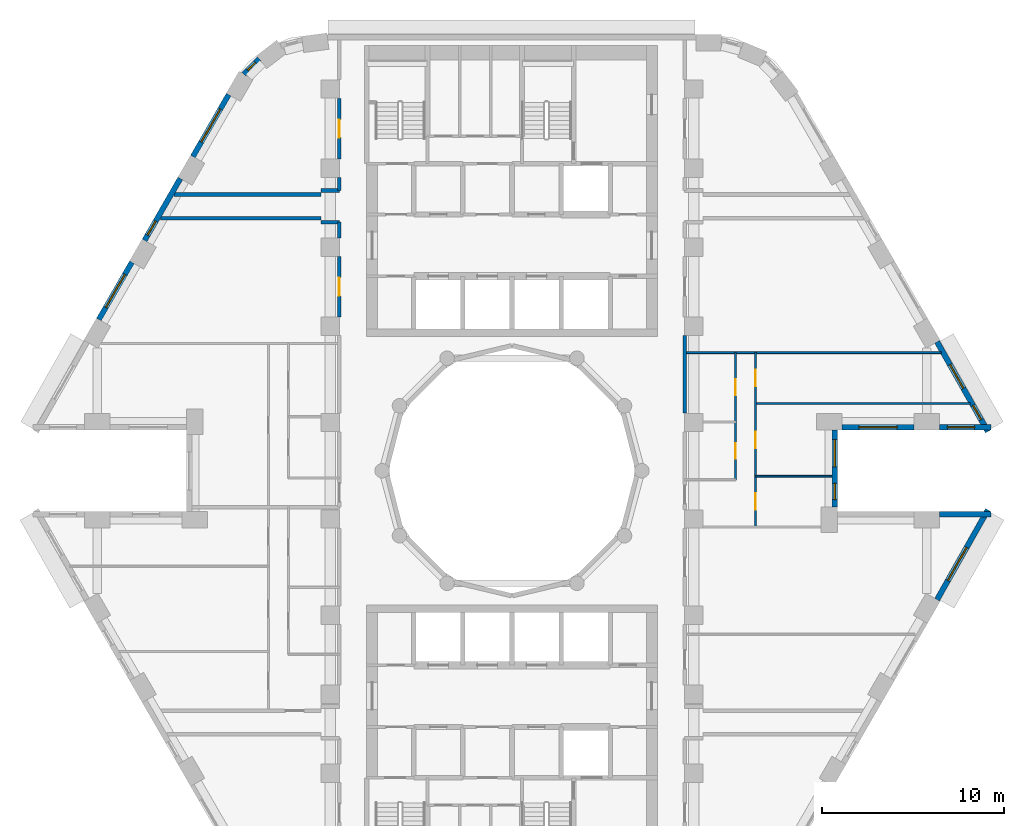
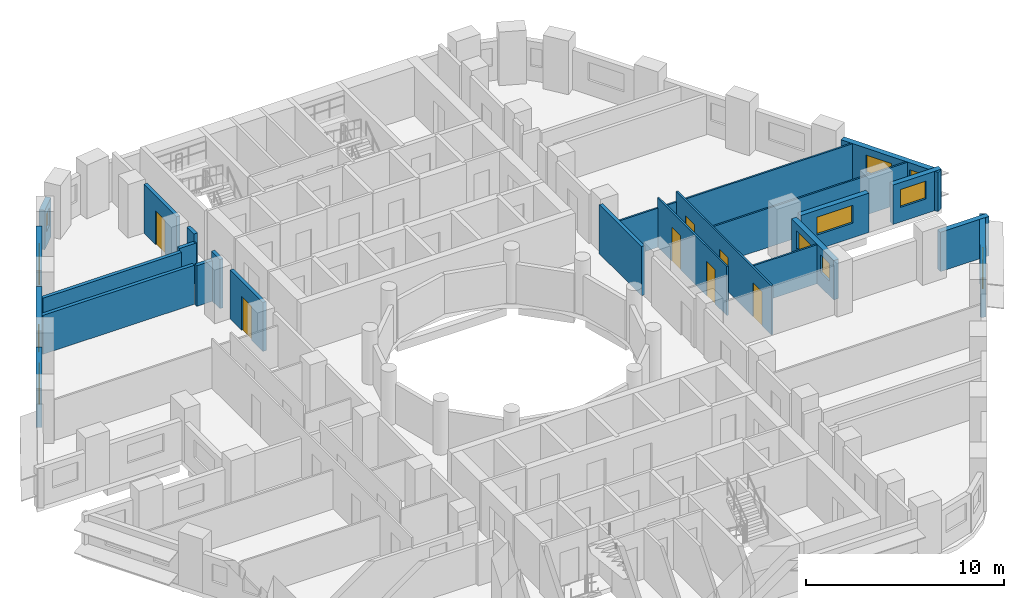
# One storey, part 6 of 12: 24 walls, 11 windows, 7 doors, 18 openings.
"""IFC4 building model written with IfcOpenShell, lengths in metres."""

from ifc_helpers import new_model, si_unit, direction, frame, frame_2d, origin, place, context, subcontext, project, spatial, rectangle, extrude, material, layer, layer_set, type_object, element, fill, save


model = new_model("IFC4")

# Units and contexts
model_context = context("Model", 3, precision=1e-05, world=origin(), true_north=direction((0.0, 1.0)))
body_context = subcontext(model_context, "Body", "Model", "MODEL_VIEW")
ifc_project = project(units=[si_unit("LENGTHUNIT", "METRE"), si_unit("AREAUNIT", "SQUARE_METRE"), si_unit("VOLUMEUNIT", "CUBIC_METRE"), si_unit("PLANEANGLEUNIT", "RADIAN"), si_unit("MASSUNIT", "GRAM", prefix="KILO")], contexts=[model_context])

# Site, building, storey
site_placement = place(None, origin())
site = spatial("IfcSite", under=ifc_project, at=site_placement, CompositionType="ELEMENT")
building_placement = place(site_placement, origin())
building = spatial("IfcBuilding", under=site, at=building_placement, Name="Nakaniwa Court", CompositionType="ELEMENT")
storey_placement = place(building_placement, frame((0.0, 0.0, 97.5)))
storey = spatial("IfcBuildingStorey", under=building, at=storey_placement, Name="L25", CompositionType="ELEMENT", Elevation=97.5)

# Walls
ifc_material_1 = material(Name="Acoustic double stud partition")
ifc_layer_1 = layer(ifc_material_1, 0.199951171875)
ifc_layer_set_1 = layer_set([ifc_layer_1], Name="Acoustic double stud partition")
wall_type_1 = type_object("IfcWallType", Name="Acoustic double stud partition 200", PredefinedType="PARTITIONING", material=ifc_layer_set_1)
wall_1_placement = place(storey_placement, frame((89.5, 83.1669921875, 0.0), z_axis=(0.0, 0.0, 1.0), x_axis=(0.0, 1.0, 0.0)))
element("IfcWall", 1, at=wall_1_placement, inside=storey, type_object=wall_type_1, Name="Partition PW-075", PredefinedType="PARTITIONING", context=body_context, shape_type="SweptSolid", body=[
    extrude(rectangle(XDim=4.26611328125, YDim=0.199951171875, at=frame_2d((2.133056640625, 0.0))), origin(), (0.0, 0.0, 1.0), 3.02490234375),
])
wall_2_placement = place(storey_placement, frame((60.65869140625, 93.89990234375, 0.0), z_axis=(0.0, 0.0, 1.0), x_axis=(1.0, 0.0, 0.0)))
element("IfcWall", 2, at=wall_2_placement, inside=storey, type_object=wall_type_1, Name="Partition PW-081", PredefinedType="PARTITIONING", context=body_context, shape_type="SweptSolid", body=[
    extrude(rectangle(XDim=8.84130859375, YDim=0.199951171875, at=frame_2d((4.420654296875, 0.0))), origin(), (0.0, 0.0, 1.0), 2.405029296875),
])
for number, where, z_axis, x_axis, name in (
    (3, (69.5, 93.675048828125, 0.0), (0.0, 0.0, 1.0), (1.0, 0.0, 0.0), "Partition PW-083"),
    (4, (69.5, 95.425048828125, 0.0), (0.0, 0.0, 1.0), (1.0, 0.0, 0.0), "Partition PW-085"),
):
    element("IfcWall", number, at=place(storey_placement, frame(where, z_axis=z_axis, x_axis=x_axis)), inside=storey, type_object=wall_type_1, Name=name, PredefinedType="PARTITIONING", context=body_context, shape_type="SweptSolid", body=[
        extrude(rectangle(XDim=1.0, YDim=0.199951171875, at=frame_2d((0.5, 0.0))), origin(), (0.0, 0.0, 1.0), 2.5048828125),
    ])
wall_3_placement = place(storey_placement, frame((61.4091796875, 95.199951171875, 0.0), z_axis=(0.0, 0.0, 1.0), x_axis=(1.0, 0.0, 0.0)))
element("IfcWall", 5, at=wall_3_placement, inside=storey, type_object=wall_type_1, Name="Partition PW-087", PredefinedType="PARTITIONING", context=body_context, shape_type="SweptSolid", body=[
    extrude(rectangle(XDim=8.0908203125, YDim=0.199951171875, at=frame_2d((4.04541015625, 0.0))), origin(), (0.0, 0.0, 1.0), 2.405029296875),
])

# Wall, opening, door
wall_4_placement = place(storey_placement, frame((70.5, 88.467041015625, 0.0), z_axis=(0.0, 0.0, 1.0), x_axis=(0.0, 1.0, 0.0)))
wall_4 = element("IfcWall", 6, at=wall_4_placement, inside=storey, type_object=wall_type_1, Name="Partition PW-104", PredefinedType="PARTITIONING", context=body_context, shape_type="SweptSolid", body=[
    extrude(rectangle(XDim=3.31591796875, YDim=0.199951171875, at=frame_2d((1.657958984375, 0.0))), origin(), (0.0, 0.0, 1.0), 3.02490234375),
])
opening_1_placement = place(wall_4_placement, frame((1.157958984375, 0.0, 0.0)))
opening_1 = element("IfcOpeningElement", 7, at=opening_1_placement, cuts=wall_4, Name="Opening D-02-04", PredefinedType="OPENING", context=body_context, shape_type="SweptSolid", body=[
    extrude(rectangle(XDim=1.0, YDim=2.10009765625, at=frame_2d((0.5, 1.050048828125))), frame((0.0, 0.10986328125, 0.0), z_axis=(0.0, -1.0, 0.0), x_axis=(1.0, 0.0, 0.0)), (0.0, 0.0, 1.0), 0.219970703125),
])
ifc_material_2 = material(Name="Solid core timber door set, black veneer", Category="wood")
door_type_1 = type_object("IfcDoorType", Name="Internal door 1000", OperationType="NOTDEFINED", PredefinedType="DOOR", material=ifc_material_2)
door_1_placement = place(opening_1_placement, origin())
door_1 = element("IfcDoor", 8, at=door_1_placement, inside=storey, type_object=door_type_1, Name="Door D-02-04 L25-046", OperationType="SINGLE_SWING_LEFT", OverallHeight=2.10009765625, OverallWidth=1.0, PredefinedType="DOOR", context=body_context, shape_type="SweptSolid", body=[
    extrude(rectangle(XDim=1.0, YDim=2.10009765625, at=frame_2d((0.5, 1.050048828125))), frame((0.0, 0.02490234375, 0.0), z_axis=(0.0, -1.0, 0.0), x_axis=(1.0, 0.0, 0.0)), (0.0, 0.0, 1.0), 0.050048828125),
])
fill(opening_1, door_1)

# Walls
wall_5_placement = place(storey_placement, frame((70.5, 92.81689453125, 0.0), z_axis=(0.0, 0.0, 1.0), x_axis=(0.0, 1.0, 0.0)))
element("IfcWall", 9, at=wall_5_placement, inside=storey, type_object=wall_type_1, Name="Partition PW-105", PredefinedType="PARTITIONING", context=body_context, shape_type="SweptSolid", body=[
    extrude(rectangle(XDim=0.861083984375, YDim=0.199951171875, at=frame_2d((0.4306640625, 0.0))), origin(), (0.0, 0.0, 1.0), 3.02490234375),
])
wall_6_placement = place(storey_placement, frame((70.5, 95.422119140625, 0.0), z_axis=(0.0, 0.0, 1.0), x_axis=(0.0, 1.0, 0.0)))
element("IfcWall", 10, at=wall_6_placement, inside=storey, type_object=wall_type_1, Name="Partition PW-106", PredefinedType="PARTITIONING", context=body_context, shape_type="SweptSolid", body=[
    extrude(rectangle(XDim=0.7109375, YDim=0.199951171875, at=frame_2d((0.35546875, 0.0))), origin(), (0.0, 0.0, 1.0), 3.02490234375),
])

# Wall, opening, door
wall_7_placement = place(storey_placement, frame((70.5, 97.1669921875, 0.0), z_axis=(0.0, 0.0, 1.0), x_axis=(0.0, 1.0, 0.0)))
wall_7 = element("IfcWall", 11, at=wall_7_placement, inside=storey, type_object=wall_type_1, Name="Partition PW-107", PredefinedType="PARTITIONING", context=body_context, shape_type="SweptSolid", body=[
    extrude(rectangle(XDim=3.31591796875, YDim=0.199951171875, at=frame_2d((1.657958984375, 0.0))), origin(), (0.0, 0.0, 1.0), 3.02490234375),
])
opening_2_placement = place(wall_7_placement, frame((1.157958984375, 0.0, 0.0)))
opening_2 = element("IfcOpeningElement", 12, at=opening_2_placement, cuts=wall_7, Name="Opening D-02-08", PredefinedType="OPENING", context=body_context, shape_type="SweptSolid", body=[
    extrude(rectangle(XDim=1.0, YDim=2.10009765625, at=frame_2d((0.5, 1.050048828125))), frame((0.0, 0.10986328125, 0.0), z_axis=(0.0, -1.0, 0.0), x_axis=(1.0, 0.0, 0.0)), (0.0, 0.0, 1.0), 0.219970703125),
])
door_2_placement = place(opening_2_placement, origin())
door_2 = element("IfcDoor", 13, at=door_2_placement, inside=storey, type_object=door_type_1, Name="Door D-02-08 L25-050", OperationType="SINGLE_SWING_LEFT", OverallHeight=2.10009765625, OverallWidth=1.0, PredefinedType="DOOR", context=body_context, shape_type="SweptSolid", body=[
    extrude(rectangle(XDim=1.0, YDim=2.10009765625, at=frame_2d((0.5, 1.050048828125))), frame((0.0, 0.02490234375, 0.0), z_axis=(0.0, -1.0, 0.0), x_axis=(1.0, 0.0, 0.0)), (0.0, 0.0, 1.0), 0.050048828125),
])
fill(opening_2, door_2)

# Wall, opening, window
ifc_material_3 = material(Name="Charcoal ceramic cladding")
ifc_layer_2 = layer(ifc_material_3, 0.02, Name="Ceramic cladding")
ifc_material_4 = material(Name="Ventilated air cavity")
ifc_layer_3 = layer(ifc_material_4, 0.04, ventilated=True, Name="Ventilated cavity")
ifc_material_5 = material(Name="Mineral wool insulation")
ifc_layer_4 = layer(ifc_material_5, 0.1, Name="Insulation")
ifc_material_6 = material(Name="Cement bonded sheathing board")
ifc_layer_5 = layer(ifc_material_6, 0.012, Name="Sheathing")
ifc_material_7 = material(Name="Cold-formed galvanised stud frame with mineral wool infill")
ifc_layer_6 = layer(ifc_material_7, 0.1, Name="Stud frame")
ifc_material_8 = material(Name="Fire-rated gypsum plasterboard lining")
ifc_layer_7 = layer(ifc_material_8, 0.028, Name="Lining")
ifc_layer_set_2 = layer_set([ifc_layer_2, ifc_layer_3, ifc_layer_4, ifc_layer_5, ifc_layer_6, ifc_layer_7], Name="Charcoal ceramic faced external wall system")
wall_type_2 = type_object("IfcWallType", Name="Black ceramic faced external wall 300", PredefinedType="SOLIDWALL", material=ifc_layer_set_2)
wall_8_placement = place(storey_placement, frame((98.154296875, 82.39990234375, 0.0), z_axis=(0.0, 0.0, 1.0), x_axis=(1.0, 0.0, 0.0)))
wall_8 = element("IfcWall", 14, at=wall_8_placement, inside=storey, type_object=wall_type_2, Name="L25 external wall 00", PredefinedType="SOLIDWALL", context=body_context, shape_type="SweptSolid", body=[
    extrude(rectangle(XDim=3.97265625, YDim=0.300048828125, at=frame_2d((1.986328125, 0.0))), origin(), (0.0, 0.0, 1.0), 2.425048828125),
])
opening_3_placement = place(wall_8_placement, frame((0.936279296875, 0.0, 0.89990234375)))
opening_3 = element("IfcOpeningElement", 15, at=opening_3_placement, cuts=wall_8, Name="Opening W7.01", PredefinedType="OPENING", context=body_context, shape_type="SweptSolid", body=[
    extrude(rectangle(XDim=2.10009765625, YDim=1.10009765625, at=frame_2d((1.050048828125, 0.550048828125))), frame((0.0, 0.159912109375, 0.0), z_axis=(0.0, -1.0, 0.0), x_axis=(1.0, 0.0, 0.0)), (0.0, 0.0, 1.0), 0.320068359375),
])
ifc_material_9 = material(Name="Black anodised aluminium frame with dark low-E laminated double glazing", Category="aluminium")
window_type_1 = type_object("IfcWindowType", Name="Dark glass window 2100x1100 sill 900", PartitioningType="SINGLE_PANEL", PredefinedType="WINDOW", material=ifc_material_9)
window_1_placement = place(opening_3_placement, origin())
window_1 = element("IfcWindow", 16, at=window_1_placement, inside=storey, type_object=window_type_1, Name="L25 living window 00-0", OverallHeight=1.10009765625, OverallWidth=2.10009765625, PartitioningType="SINGLE_PANEL", PredefinedType="WINDOW", context=body_context, shape_type="SweptSolid", body=[
    extrude(rectangle(XDim=2.10009765625, YDim=1.10009765625, at=frame_2d((1.050048828125, 0.550048828125))), frame((0.0, 0.030029296875, 0.0), z_axis=(0.0, -1.0, 0.0), x_axis=(1.0, 0.0, 0.0)), (0.0, 0.0, 1.0), 0.06005859375),
])
fill(opening_3, window_1)

wall_9_placement = place(storey_placement, frame((103.518798828125, 82.39990234375, 0.0), z_axis=(0.0, 0.0, 1.0), x_axis=(1.0, 0.0, 0.0)))
wall_9 = element("IfcWall", 17, at=wall_9_placement, inside=storey, type_object=wall_type_2, Name="L25 external wall 01", PredefinedType="SOLIDWALL", context=body_context, shape_type="SweptSolid", body=[
    extrude(rectangle(XDim=2.837890625, YDim=0.300048828125, at=frame_2d((1.4189453125, 0.0))), origin(), (0.0, 0.0, 1.0), 2.425048828125),
])
opening_4_placement = place(wall_9_placement, frame((0.44384765625, 0.0, 0.89990234375)))
opening_4 = element("IfcOpeningElement", 18, at=opening_4_placement, cuts=wall_9, Name="Opening W5.02", PredefinedType="OPENING", context=body_context, shape_type="SweptSolid", body=[
    extrude(rectangle(XDim=1.5, YDim=1.10009765625, at=frame_2d((0.75, 0.550048828125))), frame((0.0, 0.159912109375, 0.0), z_axis=(0.0, -1.0, 0.0), x_axis=(1.0, 0.0, 0.0)), (0.0, 0.0, 1.0), 0.320068359375),
])
window_type_2 = type_object("IfcWindowType", Name="Dark glass window 1500x1100 sill 900", PartitioningType="SINGLE_PANEL", PredefinedType="WINDOW", material=ifc_material_9)
window_2_placement = place(opening_4_placement, origin())
window_2 = element("IfcWindow", 19, at=window_2_placement, inside=storey, type_object=window_type_2, Name="L25 living window 01-0", OverallHeight=1.10009765625, OverallWidth=1.5, PartitioningType="SINGLE_PANEL", PredefinedType="WINDOW", context=body_context, shape_type="SweptSolid", body=[
    extrude(rectangle(XDim=1.5, YDim=1.10009765625, at=frame_2d((0.75, 0.550048828125))), frame((0.0, 0.030029296875, 0.0), z_axis=(0.0, -1.0, 0.0), x_axis=(1.0, 0.0, 0.0)), (0.0, 0.0, 1.0), 0.06005859375),
])
fill(opening_4, window_2)

# Wall, openings, windows
wall_10_placement = place(storey_placement, frame((106.18603515625, 82.1533203125, 0.0), z_axis=(0.0, 0.0, 1.0), x_axis=(-0.492456858874, 0.870336855561, 0.0)))
wall_10 = element("IfcWall", 20, at=wall_10_placement, inside=storey, type_object=wall_type_2, Name="L25 external wall 02", PredefinedType="SOLIDWALL", context=body_context, shape_type="SweptSolid", body=[
    extrude(rectangle(XDim=5.676513671875, YDim=0.300048828125, at=frame_2d((2.83837890625, 0.0))), origin(), (0.0, 0.0, 1.0), 2.425048828125),
])
opening_5_placement = place(wall_10_placement, frame((0.7626953125, 0.0, 0.89990234375)))
opening_5 = element("IfcOpeningElement", 21, at=opening_5_placement, cuts=wall_10, Name="Opening W9.03", PredefinedType="OPENING", context=body_context, shape_type="SweptSolid", body=[
    extrude(rectangle(XDim=0.89990234375, YDim=1.10009765625, at=frame_2d((0.449951171875, 0.550048828125))), frame((0.0, 0.159912109375, 0.0), z_axis=(0.0, -1.0, 0.0), x_axis=(1.0, 0.0, 0.0)), (0.0, 0.0, 1.0), 0.320068359375),
])
opening_6_placement = place(wall_10_placement, frame((2.731689453125, 0.0, 0.89990234375)))
opening_6 = element("IfcOpeningElement", 22, at=opening_6_placement, cuts=wall_10, Name="Opening W5.04", PredefinedType="OPENING", context=body_context, shape_type="SweptSolid", body=[
    extrude(rectangle(XDim=1.5, YDim=1.10009765625, at=frame_2d((0.75, 0.550048828125))), frame((0.0, 0.159912109375, 0.0), z_axis=(0.0, -1.0, 0.0), x_axis=(1.0, 0.0, 0.0)), (0.0, 0.0, 1.0), 0.320068359375),
])
window_3_placement = place(opening_6_placement, origin())
window_3 = element("IfcWindow", 23, at=window_3_placement, inside=storey, type_object=window_type_2, Name="L25 bedroom window 02-1", OverallHeight=1.10009765625, OverallWidth=1.5, PartitioningType="SINGLE_PANEL", PredefinedType="WINDOW", context=body_context, shape_type="SweptSolid", body=[
    extrude(rectangle(XDim=1.5, YDim=1.10009765625, at=frame_2d((0.75, 0.550048828125))), frame((0.0, 0.030029296875, 0.0), z_axis=(0.0, -1.0, 0.0), x_axis=(1.0, 0.0, 0.0)), (0.0, 0.0, 1.0), 0.06005859375),
])
fill(opening_6, window_3)
window_type_3 = type_object("IfcWindowType", Name="Dark glass window 900x1100 sill 900", PartitioningType="SINGLE_PANEL", PredefinedType="WINDOW", material=ifc_material_9)
window_4_placement = place(opening_5_placement, origin())
window_4 = element("IfcWindow", 24, at=window_4_placement, inside=storey, type_object=window_type_3, Name="L25 living window 02-0", OverallHeight=1.10009765625, OverallWidth=0.89990234375, PartitioningType="SINGLE_PANEL", PredefinedType="WINDOW", context=body_context, shape_type="SweptSolid", body=[
    extrude(rectangle(XDim=0.89990234375, YDim=1.10009765625, at=frame_2d((0.449951171875, 0.550048828125))), frame((0.0, 0.030029296875, 0.0), z_axis=(0.0, -1.0, 0.0), x_axis=(1.0, 0.0, 0.0)), (0.0, 0.0, 1.0), 0.06005859375),
])
fill(opening_5, window_4)

# Wall, opening, window
wall_11_placement = place(storey_placement, frame((66.085205078125, 102.66259765625, 0.0), z_axis=(0.0, 0.0, 1.0), x_axis=(-0.708951665509, -0.705257070842, 0.0)))
wall_11 = element("IfcWall", 25, at=wall_11_placement, inside=storey, type_object=wall_type_2, Name="L25 external wall 10", PredefinedType="SOLIDWALL", context=body_context, shape_type="SweptSolid", body=[
    extrude(rectangle(XDim=1.189453125, YDim=0.300048828125, at=frame_2d((0.5947265625, 0.0))), origin(), (0.0, 0.0, 1.0), 2.425048828125),
])
opening_7_placement = place(wall_11_placement, frame((0.284423828125, 0.0, 0.89990234375)))
opening_7 = element("IfcOpeningElement", 26, at=opening_7_placement, cuts=wall_11, Name="Opening W8.11", PredefinedType="OPENING", context=body_context, shape_type="SweptSolid", body=[
    extrude(rectangle(XDim=0.60009765625, YDim=1.10009765625, at=frame_2d((0.300048828125, 0.550048828125))), frame((0.0, 0.159912109375, 0.0), z_axis=(0.0, -1.0, 0.0), x_axis=(1.0, 0.0, 0.0)), (0.0, 0.0, 1.0), 0.320068359375),
])
window_type_4 = type_object("IfcWindowType", Name="Dark glass window 600x1100 sill 900", PartitioningType="SINGLE_PANEL", PredefinedType="WINDOW", material=ifc_material_9)
window_5_placement = place(opening_7_placement, origin())
window_5 = element("IfcWindow", 27, at=window_5_placement, inside=storey, type_object=window_type_4, Name="L25 habitable room window 10-0", OverallHeight=1.10009765625, OverallWidth=0.60009765625, PartitioningType="SINGLE_PANEL", PredefinedType="WINDOW", context=body_context, shape_type="SweptSolid", body=[
    extrude(rectangle(XDim=0.60009765625, YDim=1.10009765625, at=frame_2d((0.300048828125, 0.550048828125))), frame((0.0, 0.030029296875, 0.0), z_axis=(0.0, -1.0, 0.0), x_axis=(1.0, 0.0, 0.0)), (0.0, 0.0, 1.0), 0.06005859375),
])
fill(opening_7, window_5)

wall_12_placement = place(storey_placement, frame((64.40966796875, 100.69677734375, 0.0), z_axis=(0.0, 0.0, 1.0), x_axis=(-0.500003583557, -0.866023334807, 0.0)))
wall_12 = element("IfcWall", 28, at=wall_12_placement, inside=storey, type_object=wall_type_2, Name="L25 external wall 11", PredefinedType="SOLIDWALL", context=body_context, shape_type="SweptSolid", body=[
    extrude(rectangle(XDim=3.93408203125, YDim=0.300048828125, at=frame_2d((1.967041015625, 0.0))), origin(), (0.0, 0.0, 1.0), 2.425048828125),
])
opening_8_placement = place(wall_12_placement, frame((0.9169921875, 0.0, 0.89990234375)))
opening_8 = element("IfcOpeningElement", 29, at=opening_8_placement, cuts=wall_12, Name="Opening W7.12", PredefinedType="OPENING", context=body_context, shape_type="SweptSolid", body=[
    extrude(rectangle(XDim=2.10009765625, YDim=1.10009765625, at=frame_2d((1.050048828125, 0.550048828125))), frame((0.0, 0.159912109375, 0.0), z_axis=(0.0, -1.0, 0.0), x_axis=(1.0, 0.0, 0.0)), (0.0, 0.0, 1.0), 0.320068359375),
])
window_6_placement = place(opening_8_placement, origin())
window_6 = element("IfcWindow", 30, at=window_6_placement, inside=storey, type_object=window_type_1, Name="L25 habitable room window 11-0", OverallHeight=1.10009765625, OverallWidth=2.10009765625, PartitioningType="SINGLE_PANEL", PredefinedType="WINDOW", context=body_context, shape_type="SweptSolid", body=[
    extrude(rectangle(XDim=2.10009765625, YDim=1.10009765625, at=frame_2d((1.050048828125, 0.550048828125))), frame((0.0, 0.030029296875, 0.0), z_axis=(0.0, -1.0, 0.0), x_axis=(1.0, 0.0, 0.0)), (0.0, 0.0, 1.0), 0.06005859375),
])
fill(opening_8, window_6)

wall_13_placement = place(storey_placement, frame((61.74658203125, 96.08447265625, 0.0), z_axis=(0.0, 0.0, 1.0), x_axis=(-0.499957037901, -0.866050206543, 0.0)))
wall_13 = element("IfcWall", 31, at=wall_13_placement, inside=storey, type_object=wall_type_2, Name="L25 external wall 12", PredefinedType="SOLIDWALL", context=body_context, shape_type="SweptSolid", body=[
    extrude(rectangle(XDim=3.933837890625, YDim=0.300048828125, at=frame_2d((1.966796875, 0.0))), origin(), (0.0, 0.0, 1.0), 2.425048828125),
])
opening_9_placement = place(wall_13_placement, frame((2.7041015625, 0.0, 0.89990234375)))
opening_9 = element("IfcOpeningElement", 32, at=opening_9_placement, cuts=wall_13, Name="Opening W9.13", PredefinedType="OPENING", context=body_context, shape_type="SweptSolid", body=[
    extrude(rectangle(XDim=0.89990234375, YDim=1.10009765625, at=frame_2d((0.449951171875, 0.550048828125))), frame((0.0, 0.159912109375, 0.0), z_axis=(0.0, -1.0, 0.0), x_axis=(1.0, 0.0, 0.0)), (0.0, 0.0, 1.0), 0.320068359375),
])
window_7_placement = place(opening_9_placement, origin())
window_7 = element("IfcWindow", 33, at=window_7_placement, inside=storey, type_object=window_type_3, Name="L25 habitable room window 12-2", OverallHeight=1.10009765625, OverallWidth=0.89990234375, PartitioningType="SINGLE_PANEL", PredefinedType="WINDOW", context=body_context, shape_type="SweptSolid", body=[
    extrude(rectangle(XDim=0.89990234375, YDim=1.10009765625, at=frame_2d((0.449951171875, 0.550048828125))), frame((0.0, 0.030029296875, 0.0), z_axis=(0.0, -1.0, 0.0), x_axis=(1.0, 0.0, 0.0)), (0.0, 0.0, 1.0), 0.06005859375),
])
fill(opening_9, window_7)

wall_14_placement = place(storey_placement, frame((59.083740234375, 91.471923828125, 0.0), z_axis=(0.0, 0.0, 1.0), x_axis=(-0.500009139881, -0.866020126807, 0.0)))
wall_14 = element("IfcWall", 34, at=wall_14_placement, inside=storey, type_object=wall_type_2, Name="L25 external wall 13", PredefinedType="SOLIDWALL", context=body_context, shape_type="SweptSolid", body=[
    extrude(rectangle(XDim=3.63671875, YDim=0.300048828125, at=frame_2d((1.818359375, 0.0))), origin(), (0.0, 0.0, 1.0), 2.425048828125),
])
opening_10_placement = place(wall_14_placement, frame((0.768310546875, 0.0, 0.89990234375)))
opening_10 = element("IfcOpeningElement", 35, at=opening_10_placement, cuts=wall_14, Name="Opening W7.14", PredefinedType="OPENING", context=body_context, shape_type="SweptSolid", body=[
    extrude(rectangle(XDim=2.10009765625, YDim=1.10009765625, at=frame_2d((1.050048828125, 0.550048828125))), frame((0.0, 0.159912109375, 0.0), z_axis=(0.0, -1.0, 0.0), x_axis=(1.0, 0.0, 0.0)), (0.0, 0.0, 1.0), 0.320068359375),
])
window_8_placement = place(opening_10_placement, origin())
window_8 = element("IfcWindow", 36, at=window_8_placement, inside=storey, type_object=window_type_1, Name="L25 habitable room window 13-0", OverallHeight=1.10009765625, OverallWidth=2.10009765625, PartitioningType="SINGLE_PANEL", PredefinedType="WINDOW", context=body_context, shape_type="SweptSolid", body=[
    extrude(rectangle(XDim=2.10009765625, YDim=1.10009765625, at=frame_2d((1.050048828125, 0.550048828125))), frame((0.0, 0.030029296875, 0.0), z_axis=(0.0, -1.0, 0.0), x_axis=(1.0, 0.0, 0.0)), (0.0, 0.0, 1.0), 0.06005859375),
])
fill(opening_10, window_8)

wall_15_placement = place(storey_placement, frame((103.390625, 72.90625, 0.0), z_axis=(0.0, 0.0, 1.0), x_axis=(0.492456858874, 0.870336855561, 0.0)))
wall_15 = element("IfcWall", 37, at=wall_15_placement, inside=storey, type_object=wall_type_2, Name="L25 external wall 32", PredefinedType="SOLIDWALL", context=body_context, shape_type="SweptSolid", body=[
    extrude(rectangle(XDim=5.676513671875, YDim=0.300048828125, at=frame_2d((2.83837890625, 0.0))), origin(), (0.0, 0.0, 1.0), 2.425048828125),
])
opening_11_placement = place(wall_15_placement, frame((1.208984375, 0.0, 0.89990234375)))
opening_11 = element("IfcOpeningElement", 38, at=opening_11_placement, cuts=wall_15, Name="Opening W7.34", PredefinedType="OPENING", context=body_context, shape_type="SweptSolid", body=[
    extrude(rectangle(XDim=2.10009765625, YDim=1.10009765625, at=frame_2d((1.050048828125, 0.550048828125))), frame((0.0, 0.159912109375, 0.0), z_axis=(0.0, -1.0, 0.0), x_axis=(1.0, 0.0, 0.0)), (0.0, 0.0, 1.0), 0.320068359375),
])
window_9_placement = place(opening_11_placement, origin())
window_9 = element("IfcWindow", 39, at=window_9_placement, inside=storey, type_object=window_type_1, Name="L25 habitable room window 32-0", OverallHeight=1.10009765625, OverallWidth=2.10009765625, PartitioningType="SINGLE_PANEL", PredefinedType="WINDOW", context=body_context, shape_type="SweptSolid", body=[
    extrude(rectangle(XDim=2.10009765625, YDim=1.10009765625, at=frame_2d((1.050048828125, 0.550048828125))), frame((0.0, 0.030029296875, 0.0), z_axis=(0.0, -1.0, 0.0), x_axis=(1.0, 0.0, 0.0)), (0.0, 0.0, 1.0), 0.06005859375),
])
fill(opening_11, window_9)

# Wall
wall_16_placement = place(storey_placement, frame((106.356689453125, 77.60009765625, 0.0), z_axis=(0.0, 0.0, 1.0), x_axis=(-1.0, 0.0, 0.0)))
element("IfcWall", 40, at=wall_16_placement, inside=storey, type_object=wall_type_2, Name="L25 external wall 33", PredefinedType="SOLIDWALL", context=body_context, shape_type="SweptSolid", body=[
    extrude(rectangle(XDim=2.837890625, YDim=0.300048828125, at=frame_2d((1.4189453125, 0.0))), origin(), (0.0, 0.0, 1.0), 2.425048828125),
])

# Wall, openings, windows
wall_17_placement = place(storey_placement, frame((97.75830078125, 77.99609375, 0.0), z_axis=(0.0, 0.0, 1.0), x_axis=(0.0, 1.0, 0.0)))
wall_17 = element("IfcWall", 41, at=wall_17_placement, inside=storey, type_object=wall_type_2, Name="L25 external wall 35", PredefinedType="SOLIDWALL", context=body_context, shape_type="SweptSolid", body=[
    extrude(rectangle(XDim=4.2578125, YDim=0.300048828125, at=frame_2d((2.12890625, 0.0))), origin(), (0.0, 0.0, 1.0), 2.425048828125),
])
opening_12_placement = place(wall_17_placement, frame((0.4140625, 0.0, 0.89990234375)))
opening_12 = element("IfcOpeningElement", 42, at=opening_12_placement, cuts=wall_17, Name="Opening W9.35", PredefinedType="OPENING", context=body_context, shape_type="SweptSolid", body=[
    extrude(rectangle(XDim=0.89990234375, YDim=1.10009765625, at=frame_2d((0.449951171875, 0.550048828125))), frame((0.0, 0.159912109375, 0.0), z_axis=(0.0, -1.0, 0.0), x_axis=(1.0, 0.0, 0.0)), (0.0, 0.0, 1.0), 0.320068359375),
])
opening_13_placement = place(wall_17_placement, frame((2.218994140625, 0.0, 0.89990234375)))
opening_13 = element("IfcOpeningElement", 43, at=opening_13_placement, cuts=wall_17, Name="Opening W5.36", PredefinedType="OPENING", context=body_context, shape_type="SweptSolid", body=[
    extrude(rectangle(XDim=1.5, YDim=1.10009765625, at=frame_2d((0.75, 0.550048828125))), frame((0.0, 0.159912109375, 0.0), z_axis=(0.0, -1.0, 0.0), x_axis=(1.0, 0.0, 0.0)), (0.0, 0.0, 1.0), 0.320068359375),
])
window_10_placement = place(opening_13_placement, origin())
window_10 = element("IfcWindow", 44, at=window_10_placement, inside=storey, type_object=window_type_2, Name="L25 living window 35-1", OverallHeight=1.10009765625, OverallWidth=1.5, PartitioningType="SINGLE_PANEL", PredefinedType="WINDOW", context=body_context, shape_type="SweptSolid", body=[
    extrude(rectangle(XDim=1.5, YDim=1.10009765625, at=frame_2d((0.75, 0.550048828125))), frame((0.0, 0.030029296875, 0.0), z_axis=(0.0, -1.0, 0.0), x_axis=(1.0, 0.0, 0.0)), (0.0, 0.0, 1.0), 0.06005859375),
])
fill(opening_13, window_10)
window_11_placement = place(opening_12_placement, origin())
window_11 = element("IfcWindow", 45, at=window_11_placement, inside=storey, type_object=window_type_3, Name="L25 bedroom window 35-0", OverallHeight=1.10009765625, OverallWidth=0.89990234375, PartitioningType="SINGLE_PANEL", PredefinedType="WINDOW", context=body_context, shape_type="SweptSolid", body=[
    extrude(rectangle(XDim=0.89990234375, YDim=1.10009765625, at=frame_2d((0.449951171875, 0.550048828125))), frame((0.0, 0.030029296875, 0.0), z_axis=(0.0, -1.0, 0.0), x_axis=(1.0, 0.0, 0.0)), (0.0, 0.0, 1.0), 0.06005859375),
])
fill(opening_12, window_11)

# Wall, openings, doors
ifc_material_10 = material(Name="Single stud plasterboard partition")
ifc_layer_8 = layer(ifc_material_10, 0.10009765625)
ifc_layer_set_3 = layer_set([ifc_layer_8], Name="Single stud plasterboard partition")
wall_type_3 = type_object("IfcWallType", Name="Single stud plasterboard partition 100", PredefinedType="PARTITIONING", material=ifc_layer_set_3)
wall_18_placement = place(storey_placement, frame((92.300048828125, 79.5, 0.0), z_axis=(0.0, 0.0, 1.0), x_axis=(0.0, 1.0, 0.0)))
wall_18 = element("IfcWall", 46, at=wall_18_placement, inside=storey, type_object=wall_type_3, Name="Partition PW-113", PredefinedType="PARTITIONING", context=body_context, shape_type="SweptSolid", body=[
    extrude(rectangle(XDim=7.0, YDim=0.10009765625, at=frame_2d((3.5, 0.0))), origin(), (0.0, 0.0, 1.0), 3.02490234375),
])
opening_14_placement = place(wall_18_placement, frame((1.166015625, 0.0, 0.0)))
opening_14 = element("IfcOpeningElement", 47, at=opening_14_placement, cuts=wall_18, Name="Opening D-03-01", PredefinedType="OPENING", context=body_context, shape_type="SweptSolid", body=[
    extrude(rectangle(XDim=0.85009765625, YDim=2.10009765625, at=frame_2d((0.425048828125, 1.050048828125))), frame((0.0, 0.06005859375, 0.0), z_axis=(0.0, -1.0, 0.0), x_axis=(1.0, 0.0, 0.0)), (0.0, 0.0, 1.0), 0.1201171875),
])
opening_15_placement = place(wall_18_placement, frame((4.64111328125, 0.0, 0.0)))
opening_15 = element("IfcOpeningElement", 48, at=opening_15_placement, cuts=wall_18, Name="Opening D-33-01", PredefinedType="OPENING", context=body_context, shape_type="SweptSolid", body=[
    extrude(rectangle(XDim=0.89990234375, YDim=2.10009765625, at=frame_2d((0.449951171875, 1.050048828125))), frame((0.0, 0.06005859375, 0.0), z_axis=(0.0, -1.0, 0.0), x_axis=(1.0, 0.0, 0.0)), (0.0, 0.0, 1.0), 0.1201171875),
])
ifc_material_11 = material(Name="Moisture sealed timber door set", Category="wood")
door_type_2 = type_object("IfcDoorType", Name="Bathroom door 850", OperationType="NOTDEFINED", PredefinedType="DOOR", material=ifc_material_11)
door_3_placement = place(opening_14_placement, origin())
door_3 = element("IfcDoor", 49, at=door_3_placement, inside=storey, type_object=door_type_2, Name="Door D-03-01 L25-029", OperationType="SINGLE_SWING_RIGHT", OverallHeight=2.10009765625, OverallWidth=0.85009765625, PredefinedType="DOOR", context=body_context, shape_type="SweptSolid", body=[
    extrude(rectangle(XDim=0.85009765625, YDim=2.10009765625, at=frame_2d((0.425048828125, 1.050048828125))), frame((0.0, 0.02490234375, 0.0), z_axis=(0.0, -1.0, 0.0), x_axis=(1.0, 0.0, 0.0)), (0.0, 0.0, 1.0), 0.050048828125),
])
fill(opening_14, door_3)
door_type_3 = type_object("IfcDoorType", Name="Internal door 900", OperationType="NOTDEFINED", PredefinedType="DOOR", material=ifc_material_2)
door_4_placement = place(opening_15_placement, origin())
door_4 = element("IfcDoor", 50, at=door_4_placement, inside=storey, type_object=door_type_3, Name="Door D-33-01 L25-030", OperationType="SINGLE_SWING_LEFT", OverallHeight=2.10009765625, OverallWidth=0.89990234375, PredefinedType="DOOR", context=body_context, shape_type="SweptSolid", body=[
    extrude(rectangle(XDim=0.89990234375, YDim=2.10009765625, at=frame_2d((0.449951171875, 1.050048828125))), frame((0.0, 0.02490234375, 0.0), z_axis=(0.0, -1.0, 0.0), x_axis=(1.0, 0.0, 0.0)), (0.0, 0.0, 1.0), 0.050048828125),
])
fill(opening_15, door_4)

# Wall
wall_19_placement = place(storey_placement, frame((89.5, 86.5, 0.0), z_axis=(0.0, 0.0, 1.0), x_axis=(1.0, 0.0, 0.0)))
element("IfcWall", 51, at=wall_19_placement, inside=storey, type_object=wall_type_3, Name="Partition PW-114", PredefinedType="PARTITIONING", context=body_context, shape_type="SweptSolid", body=[
    extrude(rectangle(XDim=14.113525390625, YDim=0.10009765625, at=frame_2d((7.056640625, 0.0))), origin(), (0.0, 0.0, 1.0), 2.405029296875),
])

# Wall, openings, doors
wall_20_placement = place(storey_placement, frame((93.39990234375, 86.5, 0.0), z_axis=(0.0, 0.0, 1.0), x_axis=(0.0, -1.0, 0.0)))
wall_20 = element("IfcWall", 52, at=wall_20_placement, inside=storey, type_object=wall_type_3, Name="Partition PW-115", PredefinedType="PARTITIONING", context=body_context, shape_type="SweptSolid", body=[
    extrude(rectangle(XDim=9.60009765625, YDim=0.10009765625, at=frame_2d((4.800048828125, 0.0))), origin(), (0.0, 0.0, 1.0), 3.02490234375),
])
opening_16_placement = place(wall_20_placement, frame((7.75, 0.0, 0.0)))
opening_16 = element("IfcOpeningElement", 53, at=opening_16_placement, cuts=wall_20, Name="Opening D-33-02", PredefinedType="OPENING", context=body_context, shape_type="SweptSolid", body=[
    extrude(rectangle(XDim=0.89990234375, YDim=2.10009765625, at=frame_2d((0.449951171875, 1.050048828125))), frame((0.0, 0.06005859375, 0.0), z_axis=(0.0, -1.0, 0.0), x_axis=(1.0, 0.0, 0.0)), (0.0, 0.0, 1.0), 0.1201171875),
])
opening_17_placement = place(wall_20_placement, frame((4.35009765625, 0.0, 0.0)))
opening_17 = element("IfcOpeningElement", 54, at=opening_17_placement, cuts=wall_20, Name="Opening D-33-03", PredefinedType="OPENING", context=body_context, shape_type="SweptSolid", body=[
    extrude(rectangle(XDim=0.89990234375, YDim=2.10009765625, at=frame_2d((0.449951171875, 1.050048828125))), frame((0.0, 0.06005859375, 0.0), z_axis=(0.0, -1.0, 0.0), x_axis=(1.0, 0.0, 0.0)), (0.0, 0.0, 1.0), 0.1201171875),
])
opening_18_placement = place(wall_20_placement, frame((0.949951171875, 0.0, 0.0)))
opening_18 = element("IfcOpeningElement", 55, at=opening_18_placement, cuts=wall_20, Name="Opening D-33-04", PredefinedType="OPENING", context=body_context, shape_type="SweptSolid", body=[
    extrude(rectangle(XDim=0.89990234375, YDim=2.10009765625, at=frame_2d((0.449951171875, 1.050048828125))), frame((0.0, 0.06005859375, 0.0), z_axis=(0.0, -1.0, 0.0), x_axis=(1.0, 0.0, 0.0)), (0.0, 0.0, 1.0), 0.1201171875),
])
door_5_placement = place(opening_16_placement, origin())
door_5 = element("IfcDoor", 56, at=door_5_placement, inside=storey, type_object=door_type_3, Name="Door D-33-02 L25-031", OperationType="SINGLE_SWING_RIGHT", OverallHeight=2.10009765625, OverallWidth=0.89990234375, PredefinedType="DOOR", context=body_context, shape_type="SweptSolid", body=[
    extrude(rectangle(XDim=0.89990234375, YDim=2.10009765625, at=frame_2d((0.449951171875, 1.050048828125))), frame((0.0, 0.02490234375, 0.0), z_axis=(0.0, -1.0, 0.0), x_axis=(1.0, 0.0, 0.0)), (0.0, 0.0, 1.0), 0.050048828125),
])
fill(opening_16, door_5)
door_6_placement = place(opening_17_placement, origin())
door_6 = element("IfcDoor", 57, at=door_6_placement, inside=storey, type_object=door_type_3, Name="Door D-33-03 L25-032", OperationType="SINGLE_SWING_LEFT", OverallHeight=2.10009765625, OverallWidth=0.89990234375, PredefinedType="DOOR", context=body_context, shape_type="SweptSolid", body=[
    extrude(rectangle(XDim=0.89990234375, YDim=2.10009765625, at=frame_2d((0.449951171875, 1.050048828125))), frame((0.0, 0.02490234375, 0.0), z_axis=(0.0, -1.0, 0.0), x_axis=(1.0, 0.0, 0.0)), (0.0, 0.0, 1.0), 0.050048828125),
])
fill(opening_17, door_6)
door_7_placement = place(opening_18_placement, origin())
door_7 = element("IfcDoor", 58, at=door_7_placement, inside=storey, type_object=door_type_3, Name="Door D-33-04 L25-033", OperationType="SINGLE_SWING_RIGHT", OverallHeight=2.10009765625, OverallWidth=0.89990234375, PredefinedType="DOOR", context=body_context, shape_type="SweptSolid", body=[
    extrude(rectangle(XDim=0.89990234375, YDim=2.10009765625, at=frame_2d((0.449951171875, 1.050048828125))), frame((0.0, 0.02490234375, 0.0), z_axis=(0.0, -1.0, 0.0), x_axis=(1.0, 0.0, 0.0)), (0.0, 0.0, 1.0), 0.050048828125),
])
fill(opening_18, door_7)

# Walls
wall_21_placement = place(storey_placement, frame((93.39990234375, 79.699951171875, 0.0), z_axis=(0.0, 0.0, 1.0), x_axis=(1.0, 0.0, 0.0)))
element("IfcWall", 59, at=wall_21_placement, inside=storey, type_object=wall_type_3, Name="Partition PW-116", PredefinedType="PARTITIONING", context=body_context, shape_type="SweptSolid", body=[
    extrude(rectangle(XDim=4.20849609375, YDim=0.10009765625, at=frame_2d((2.104248046875, 0.0))), origin(), (0.0, 0.0, 1.0), 2.405029296875),
])
wall_22_placement = place(storey_placement, frame((93.39990234375, 83.699951171875, 0.0), z_axis=(0.0, 0.0, 1.0), x_axis=(1.0, 0.0, 0.0)))
element("IfcWall", 60, at=wall_22_placement, inside=storey, type_object=wall_type_3, Name="Partition PW-117", PredefinedType="PARTITIONING", context=body_context, shape_type="SweptSolid", body=[
    extrude(rectangle(XDim=11.830322265625, YDim=0.10009765625, at=frame_2d((5.9150390625, 0.0))), origin(), (0.0, 0.0, 1.0), 2.405029296875),
])

save(model, "model.ifc")
